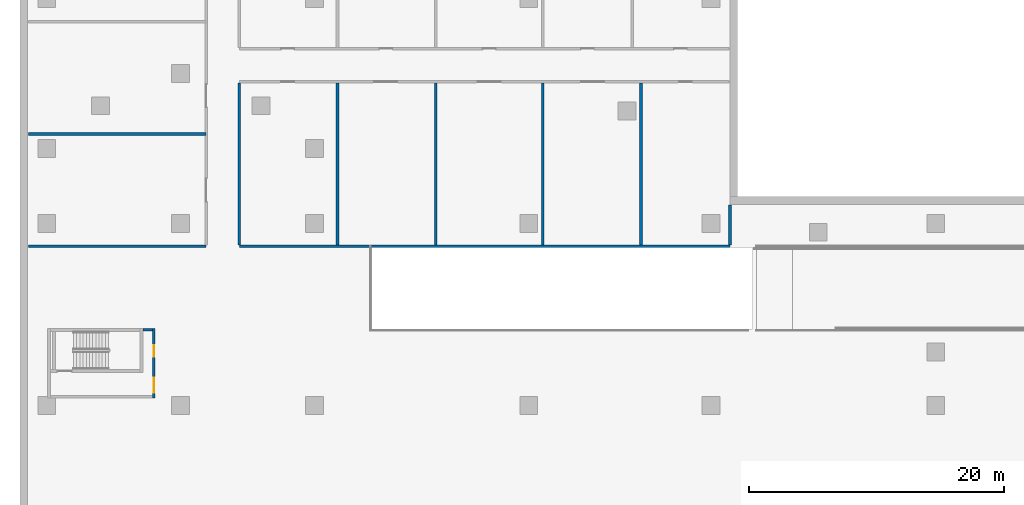
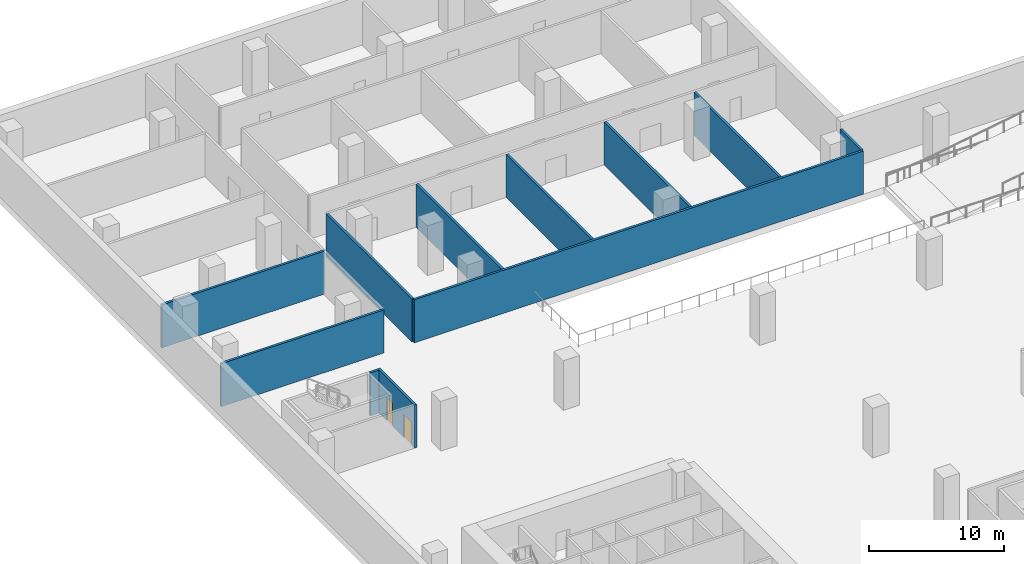
# One storey, part 6 of 12: 11 walls, 2 doors, 2 openings.
"""IFC4 building model written with IfcOpenShell, lengths in metres."""

from ifc_helpers import new_model, si_unit, direction, frame, frame_2d, origin, place, context, subcontext, project, spatial, rectangle, extrude, source, transform, mapped, material, layer, layer_set, type_object, element, fill, save


model = new_model("IFC4")

# Units and contexts
model_context = context("Model", 3, precision=1e-05, world=origin(), true_north=direction((0.0, 1.0)))
body_context = subcontext(model_context, "Body", "Model", "MODEL_VIEW")
ifc_project = project(units=[si_unit("LENGTHUNIT", "METRE"), si_unit("AREAUNIT", "SQUARE_METRE"), si_unit("VOLUMEUNIT", "CUBIC_METRE"), si_unit("PLANEANGLEUNIT", "RADIAN"), si_unit("MASSUNIT", "GRAM", prefix="KILO")], contexts=[model_context])

# Site, building, storey
site_placement = place(None, origin())
site = spatial("IfcSite", under=ifc_project, at=site_placement, CompositionType="ELEMENT")
building_placement = place(site_placement, origin())
building = spatial("IfcBuilding", under=site, at=building_placement, Name="Aurelian Terraces", CompositionType="ELEMENT")
storey_placement = place(building_placement, frame((0.0, 0.0, -4.5)))
storey = spatial("IfcBuildingStorey", under=building, at=storey_placement, Name="B1", CompositionType="ELEMENT", Elevation=-4.5)

# Wall, openings, doors
ifc_material_1 = material(Name="Gypsum board on steel studs", Category="steel")
ifc_layer_1 = layer(ifc_material_1, 0.2)
ifc_layer_set_1 = layer_set([ifc_layer_1], Name="Core partition 200")
wall_type_1 = type_object("IfcWallType", Name="Core partition 200", PredefinedType="PARTITIONING", material=ifc_layer_set_1)
shared_shape_1 = source(origin(), body_context, "Body", "SweptSolid", [
    extrude(rectangle(XDim=5.45, YDim=0.2, at=frame_2d((2.725, 0.0))), origin(), (0.0, 0.0, 1.0), 3.9),
])
wall_1_placement = place(storey_placement, frame((8.4, 38.4, 0.0), z_axis=(0.0, 0.0, 1.0), x_axis=(0.0, 1.0, 0.0)))
wall_1 = element("IfcWall", 1, at=wall_1_placement, inside=storey, type_object=wall_type_1, Name="B1 core wall ST-S3-BN", PredefinedType="PARTITIONING", context=body_context, shape_type="MappedRepresentation", body=[
    mapped(shared_shape_1, transform((0.0, 0.0, 0.0), scale=1.0)),
])
shared_shape_2 = source(origin(), body_context, "Body", "SweptSolid", [
    extrude(rectangle(XDim=1.2, YDim=2.1, at=frame_2d((0.6, 1.05))), frame((0.0, 0.11, 0.0), z_axis=(0.0, -1.0, 0.0), x_axis=(1.0, 0.0, 0.0)), (0.0, 0.0, 1.0), 0.22),
])
opening_1_placement = place(wall_1_placement, frame((0.4, 0.0, 0.0)))
opening_1 = element("IfcOpeningElement", 2, at=opening_1_placement, cuts=wall_1, Name="Opening 60218", PredefinedType="OPENING", context=body_context, shape_type="MappedRepresentation", body=[
    mapped(shared_shape_2, transform((0.0, 0.0, 0.0), scale=1.0)),
])
shared_shape_3 = source(origin(), body_context, "Body", "SweptSolid", [
    extrude(rectangle(XDim=0.9, YDim=2.1, at=frame_2d((0.45, 1.05))), frame((0.0, 0.11, 0.0), z_axis=(0.0, -1.0, 0.0), x_axis=(1.0, 0.0, 0.0)), (0.0, 0.0, 1.0), 0.22),
])
opening_2_placement = place(wall_1_placement, frame((3.25, 0.0, 0.0)))
opening_2 = element("IfcOpeningElement", 3, at=opening_2_placement, cuts=wall_1, Name="Opening 60219", PredefinedType="OPENING", context=body_context, shape_type="MappedRepresentation", body=[
    mapped(shared_shape_3, transform((0.0, 0.0, 0.0), scale=1.0)),
])
ifc_material_2 = material(Name="Steel door leaf", Category="steel")
door_type_1 = type_object("IfcDoorType", Name="Core riser door 900x2100 right", OperationType="SINGLE_SWING_RIGHT", PredefinedType="DOOR", material=ifc_material_2)
shared_shape_4 = source(origin(), body_context, "Body", "SweptSolid", [
    extrude(rectangle(XDim=0.9, YDim=2.1, at=frame_2d((0.45, 1.05))), frame((0.0, 0.025, 0.0), z_axis=(0.0, -1.0, 0.0), x_axis=(1.0, 0.0, 0.0)), (0.0, 0.0, 1.0), 0.05),
])
door_1_placement = place(opening_2_placement, origin())
door_1 = element("IfcDoor", 4, at=door_1_placement, inside=storey, type_object=door_type_1, Name="Riser door 60219", OperationType="SINGLE_SWING_RIGHT", OverallHeight=2.1, OverallWidth=0.9, PredefinedType="DOOR", context=body_context, shape_type="MappedRepresentation", body=[
    mapped(shared_shape_4, transform((0.0, 0.0, 0.0), scale=1.0)),
])
fill(opening_2, door_1)
door_type_2 = type_object("IfcDoorType", Name="Core fire door 1200x2100", OperationType="SINGLE_SWING_LEFT", PredefinedType="DOOR", material=ifc_material_2)
shared_shape_5 = source(origin(), body_context, "Body", "SweptSolid", [
    extrude(rectangle(XDim=1.2, YDim=2.1, at=frame_2d((0.6, 1.05))), frame((0.0, 0.025, 0.0), z_axis=(0.0, -1.0, 0.0), x_axis=(1.0, 0.0, 0.0)), (0.0, 0.0, 1.0), 0.05),
])
door_2_placement = place(opening_1_placement, origin())
door_2 = element("IfcDoor", 5, at=door_2_placement, inside=storey, type_object=door_type_2, Name="Vestibule door 60218", OperationType="SINGLE_SWING_LEFT", OverallHeight=2.1, OverallWidth=1.2, PredefinedType="DOOR", context=body_context, shape_type="MappedRepresentation", body=[
    mapped(shared_shape_5, transform((0.0, 0.0, 0.0), scale=1.0)),
])
fill(opening_1, door_2)

# Walls
shared_shape_6 = source(origin(), body_context, "Body", "SweptSolid", [
    extrude(rectangle(XDim=0.75, YDim=0.2, at=frame_2d((0.375, 0.0))), origin(), (0.0, 0.0, 1.0), 3.9),
])
wall_2_placement = place(storey_placement, frame((7.55, 43.75, 0.0), z_axis=(0.0, 0.0, 1.0), x_axis=(1.0, 0.0, 0.0)))
element("IfcWall", 6, at=wall_2_placement, inside=storey, type_object=wall_type_1, Name="B1 core wall ST-S3-RE", PredefinedType="PARTITIONING", context=body_context, shape_type="MappedRepresentation", body=[
    mapped(shared_shape_6, transform((0.0, 0.0, 0.0), scale=1.0)),
])
ifc_layer_2 = layer(ifc_material_1, 0.2)
ifc_layer_set_2 = layer_set([ifc_layer_2], Name="Basement partition 200")
wall_type_2 = type_object("IfcWallType", Name="Basement partition 200", PredefinedType="PARTITIONING", material=ifc_layer_set_2)
shared_shape_7 = source(origin(), body_context, "Body", "SweptSolid", [
    extrude(rectangle(XDim=13.94, YDim=0.2, at=frame_2d((6.97, 0.0))), origin(), (0.0, 0.0, 1.0), 3.9),
])
for number, where, z_axis, x_axis, name in (
    (7, (-1.44, 50.3, 0.0), (0.0, 0.0, 1.0), (1.0, 0.0, 0.0), "B1 partition 004"),
    (8, (-1.44, 59.1, 0.0), (0.0, 0.0, 1.0), (1.0, 0.0, 0.0), "B1 partition 006"),
):
    element("IfcWall", number, at=place(storey_placement, frame(where, z_axis=z_axis, x_axis=x_axis)), inside=storey, type_object=wall_type_2, Name=name, PredefinedType="PARTITIONING", context=body_context, shape_type="MappedRepresentation", body=[
        mapped(shared_shape_7, transform((0.0, 0.0, 0.0), scale=1.0)),
    ])
shared_shape_8 = source(origin(), body_context, "Body", "SweptSolid", [
    extrude(rectangle(XDim=12.7, YDim=0.2, at=frame_2d((6.35, 0.0))), origin(), (0.0, 0.0, 1.0), 3.9),
])
for number, where, z_axis, x_axis, name in (
    (9, (15.1, 50.4, 0.0), (0.0, 0.0, 1.0), (0.0, 1.0, 0.0), "B1 partition 014"),
    (10, (22.8, 50.4, 0.0), (0.0, 0.0, 1.0), (0.0, 1.0, 0.0), "B1 partition 017"),
    (11, (30.5, 50.4, 0.0), (0.0, 0.0, 1.0), (0.0, 1.0, 0.0), "B1 partition 020"),
    (12, (38.9, 50.4, 0.0), (0.0, 0.0, 1.0), (0.0, 1.0, 0.0), "B1 partition 023"),
    (13, (46.6, 50.4, 0.0), (0.0, 0.0, 1.0), (0.0, 1.0, 0.0), "B1 partition 028"),
):
    element("IfcWall", number, at=place(storey_placement, frame(where, z_axis=z_axis, x_axis=x_axis)), inside=storey, type_object=wall_type_2, Name=name, PredefinedType="PARTITIONING", context=body_context, shape_type="MappedRepresentation", body=[
        mapped(shared_shape_8, transform((0.0, 0.0, 0.0), scale=1.0)),
    ])
shared_shape_9 = source(origin(), body_context, "Body", "SweptSolid", [
    extrude(rectangle(XDim=38.48, YDim=0.2, at=frame_2d((19.24, 0.0))), origin(), (0.0, 0.0, 1.0), 3.9),
])
wall_3_placement = place(storey_placement, frame((15.1, 50.3, 0.0), z_axis=(0.0, 0.0, 1.0), x_axis=(1.0, 0.0, 0.0)))
element("IfcWall", 14, at=wall_3_placement, inside=storey, type_object=wall_type_2, Name="B1 partition 005", PredefinedType="PARTITIONING", context=body_context, shape_type="MappedRepresentation", body=[
    mapped(shared_shape_9, transform((0.0, 0.0, 0.0), scale=1.0)),
])
shared_shape_10 = source(origin(), body_context, "Body", "SweptSolid", [
    extrude(rectangle(XDim=3.12, YDim=0.2, at=frame_2d((1.56, 0.0))), origin(), (0.0, 0.0, 1.0), 3.9),
])
wall_4_placement = place(storey_placement, frame((53.58, 50.4, 0.0), z_axis=(0.0, 0.0, 1.0), x_axis=(0.0, 1.0, 0.0)))
element("IfcWall", 15, at=wall_4_placement, inside=storey, type_object=wall_type_2, Name="B1 partition 031", PredefinedType="PARTITIONING", context=body_context, shape_type="MappedRepresentation", body=[
    mapped(shared_shape_10, transform((0.0, 0.0, 0.0), scale=1.0)),
])

save(model, "model.ifc")
